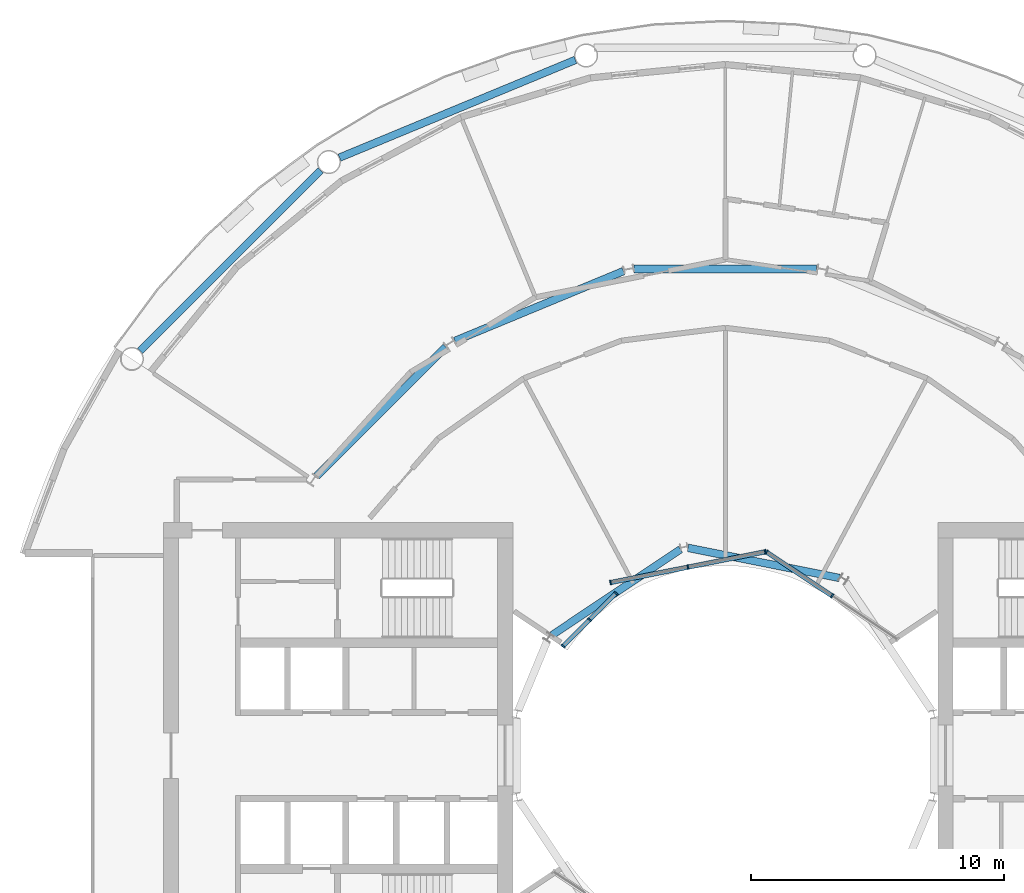
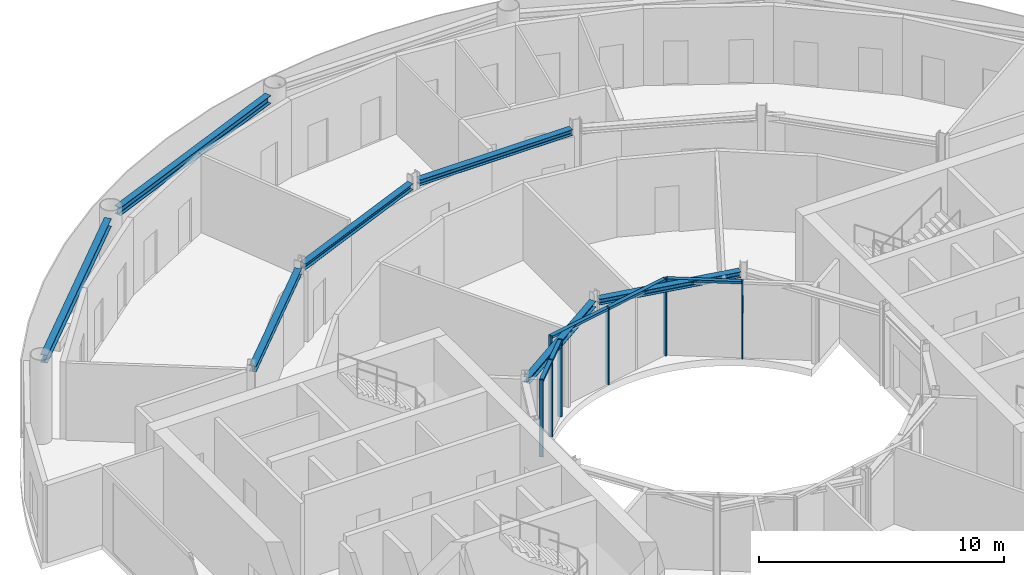
# One storey, part 8 of 21: 13 members, 7 beams, 3 elements without a shape of their own.
"""IFC4 building model written with IfcOpenShell, lengths in metres."""

from ifc_helpers import new_model, si_unit, direction, frame, origin, origin_2d, place, context, subcontext, project, spatial, rectangle, i_section, extrude, material, layer, layer_set, material_profile, profile_set, type_object, element, aggregate, save


model = new_model("IFC4")

# Units and contexts
model_context = context("Model", 3, precision=1e-05, world=origin(), true_north=direction((0.0, 1.0)))
body_context = subcontext(model_context, "Body", "Model", "MODEL_VIEW")
ifc_project = project(units=[si_unit("LENGTHUNIT", "METRE"), si_unit("AREAUNIT", "SQUARE_METRE"), si_unit("VOLUMEUNIT", "CUBIC_METRE"), si_unit("PLANEANGLEUNIT", "RADIAN"), si_unit("MASSUNIT", "GRAM", prefix="KILO")], contexts=[model_context])

# Site, building, storey
site_placement = place(None, origin())
site = spatial("IfcSite", under=ifc_project, at=site_placement, CompositionType="ELEMENT")
building_placement = place(site_placement, origin())
building = spatial("IfcBuilding", under=site, at=building_placement, Name="Maasbend Ring Residences", CompositionType="ELEMENT")
storey_placement = place(building_placement, frame((0.0, 0.0, 107.449951171875)))
storey = spatial("IfcBuildingStorey", under=building, at=storey_placement, Name="L30", CompositionType="ELEMENT", Elevation=107.449951171875)

# Curtain wall, members
ifc_material_1 = material(Name="Aluminium and clear glass", Category="aluminium")
ifc_layer = layer(ifc_material_1, 0.179931640625)
ifc_layer_set = layer_set([ifc_layer], Name="CW-W")
curtain_wall_type = type_object("IfcCurtainWallType", Name="CW-W", PredefinedType="NOTDEFINED", material=ifc_layer_set)
curtain_wall_1_placement = place(storey_placement, origin())
curtain_wall_1 = element("IfcCurtainWall", 1, at=curtain_wall_1_placement, inside=storey, type_object=curtain_wall_type, Name="Well curtain wall N1", PredefinedType="NOTDEFINED")
ifc_material_2 = material(Name="Aluminium 6063-T6", Category="aluminium")
ifc_material_profile_1 = material_profile(ifc_material_2, rectangle(XDim=0.179931640625, YDim=0.06005859375, at=origin_2d()), Name="AL 180x60")
ifc_profile_set_1 = profile_set([ifc_material_profile_1], Name="Aluminium 6063-T6")
member_type_1 = type_object("IfcMemberType", Name="CWM-W", PredefinedType="MULLION", material=ifc_profile_set_1)
member_1_placement = place(storey_placement, frame((4.216796875, 6.310791015625, 0.0), z_axis=(0.0, 0.0, 1.0), x_axis=(-0.55557023302, -0.831469612303, 0.0)))
member_1 = element("IfcMember", 2, at=member_1_placement, type_object=member_type_1, Name="Mullion well face", PredefinedType="MULLION", context=body_context, shape_type="SweptSolid", body=[
    extrude(rectangle(XDim=0.179931640625, YDim=0.06005859375, at=origin_2d()), origin(), (0.0, 0.0, 1.0), 3.85009765625),
])
member_2_placement = place(storey_placement, frame((1.627685546875, 8.040771484375, 0.0), z_axis=(0.0, 0.0, 1.0), x_axis=(-0.55557023302, -0.831469612303, 0.0)))
member_2 = element("IfcMember", 3, at=member_2_placement, type_object=member_type_1, Name="Mullion well face", PredefinedType="MULLION", context=body_context, shape_type="SweptSolid", body=[
    extrude(rectangle(XDim=0.179931640625, YDim=0.06005859375, at=origin_2d()), origin(), (0.0, 0.0, 1.0), 3.85009765625),
])

curtain_wall_2_placement = place(storey_placement, origin())
curtain_wall_2 = element("IfcCurtainWall", 4, at=curtain_wall_2_placement, inside=storey, type_object=curtain_wall_type, Name="Well curtain wall N2", PredefinedType="NOTDEFINED")
member_3_placement = place(storey_placement, frame((1.5732421875, 8.0517578125, 0.0), z_axis=(0.0, 0.0, 1.0), x_axis=(0.195090322016, -0.980785280403, 0.0)))
member_3 = element("IfcMember", 5, at=member_3_placement, type_object=member_type_1, Name="Mullion well face", PredefinedType="MULLION", context=body_context, shape_type="SweptSolid", body=[
    extrude(rectangle(XDim=0.179931640625, YDim=0.06005859375, at=origin_2d()), origin(), (0.0, 0.0, 1.0), 3.85009765625),
])
member_4_placement = place(storey_placement, frame((-1.480712890625, 7.444091796875, 0.0), z_axis=(0.0, 0.0, 1.0), x_axis=(0.195090322016, -0.980785280403, 0.0)))
member_4 = element("IfcMember", 6, at=member_4_placement, type_object=member_type_1, Name="Mullion well face", PredefinedType="MULLION", context=body_context, shape_type="SweptSolid", body=[
    extrude(rectangle(XDim=0.179931640625, YDim=0.06005859375, at=origin_2d()), origin(), (0.0, 0.0, 1.0), 3.85009765625),
])
member_5_placement = place(storey_placement, frame((-4.53466796875, 6.836669921875, 0.0), z_axis=(0.0, 0.0, 1.0), x_axis=(0.195090322016, -0.980785280403, 0.0)))
member_5 = element("IfcMember", 7, at=member_5_placement, type_object=member_type_1, Name="Mullion well face", PredefinedType="MULLION", context=body_context, shape_type="SweptSolid", body=[
    extrude(rectangle(XDim=0.179931640625, YDim=0.06005859375, at=origin_2d()), origin(), (0.0, 0.0, 1.0), 3.85009765625),
])

curtain_wall_3_placement = place(storey_placement, origin())
curtain_wall_3 = element("IfcCurtainWall", 8, at=curtain_wall_3_placement, inside=storey, type_object=curtain_wall_type, Name="Well curtain wall N3", PredefinedType="NOTDEFINED")
member_6_placement = place(storey_placement, frame((-4.320556640625, 6.413330078125, 0.0), z_axis=(0.0, 0.0, 1.0), x_axis=(0.707106781187, -0.707106781187, 0.0)))
member_6 = element("IfcMember", 9, at=member_6_placement, type_object=member_type_1, Name="Mullion well face", PredefinedType="MULLION", context=body_context, shape_type="SweptSolid", body=[
    extrude(rectangle(XDim=0.179931640625, YDim=0.06005859375, at=origin_2d()), origin(), (0.0, 0.0, 1.0), 3.85009765625),
])
member_7_placement = place(storey_placement, frame((-5.366943359375, 5.366943359375, 0.0), z_axis=(0.0, 0.0, 1.0), x_axis=(0.707106781187, -0.707106781187, 0.0)))
member_7 = element("IfcMember", 10, at=member_7_placement, type_object=member_type_1, Name="Mullion well face", PredefinedType="MULLION", context=body_context, shape_type="SweptSolid", body=[
    extrude(rectangle(XDim=0.179931640625, YDim=0.06005859375, at=origin_2d()), origin(), (0.0, 0.0, 1.0), 3.85009765625),
])
member_8_placement = place(storey_placement, frame((-6.413330078125, 4.320556640625, 0.0), z_axis=(0.0, 0.0, 1.0), x_axis=(0.707106781187, -0.707106781187, 0.0)))
member_8 = element("IfcMember", 11, at=member_8_placement, type_object=member_type_1, Name="Mullion well face", PredefinedType="MULLION", context=body_context, shape_type="SweptSolid", body=[
    extrude(rectangle(XDim=0.179931640625, YDim=0.06005859375, at=origin_2d()), origin(), (0.0, 0.0, 1.0), 3.85009765625),
])

# Member
ifc_material_3 = material(Name="Aluminium 6063-T6", Category="aluminium")
ifc_material_profile_2 = material_profile(ifc_material_3, rectangle(XDim=0.179931640625, YDim=0.1201171875, at=origin_2d()), Name="AL 180x120")
ifc_profile_set_2 = profile_set([ifc_material_profile_2], Name="Aluminium 6063-T6")
member_type_2 = type_object("IfcMemberType", Name="CWT-W", PredefinedType="USERDEFINED", material=ifc_profile_set_2)
member_9_placement = place(storey_placement, frame((4.19189453125, 6.32763671875, 3.7900390625), z_axis=(-0.831496422459, 0.555530106689, 0.0), x_axis=(-0.555530106689, -0.831496422459, 0.0)))
member_9 = element("IfcMember", 12, at=member_9_placement, type_object=member_type_2, Name="Transom well face", ObjectType="TRANSOM", PredefinedType="USERDEFINED", context=body_context, shape_type="SweptSolid", body=[
    extrude(rectangle(XDim=0.179931640625, YDim=0.1201171875, at=origin_2d()), origin(), (0.0, 0.0, 1.0), 3.053955078125),
])

aggregate(curtain_wall_1, [member_1, member_2, member_9])

member_10_placement = place(storey_placement, frame((1.5439453125, 8.0458984375, 3.7900390625), z_axis=(-0.980776956105, -0.195132166424, 0.0), x_axis=(0.195132166424, -0.980776956105, 0.0)))
member_10 = element("IfcMember", 13, at=member_10_placement, type_object=member_type_2, Name="Transom well face", ObjectType="TRANSOM", PredefinedType="USERDEFINED", context=body_context, shape_type="SweptSolid", body=[
    extrude(rectangle(XDim=0.179931640625, YDim=0.1201171875, at=origin_2d()), origin(), (0.0, 0.0, 1.0), 3.053955078125),
])

member_11_placement = place(storey_placement, frame((-1.51025390625, 7.438232421875, 3.7900390625), z_axis=(-0.980789210404, -0.19507056353, 0.0), x_axis=(0.19507056353, -0.980789210404, 0.0)))
member_11 = element("IfcMember", 14, at=member_11_placement, type_object=member_type_2, Name="Transom well face", ObjectType="TRANSOM", PredefinedType="USERDEFINED", context=body_context, shape_type="SweptSolid", body=[
    extrude(rectangle(XDim=0.179931640625, YDim=0.1201171875, at=origin_2d()), origin(), (0.0, 0.0, 1.0), 3.0537109375),
])

aggregate(curtain_wall_2, [member_3, member_4, member_5, member_10, member_11])

member_12_placement = place(storey_placement, frame((-4.341796875, 6.39208984375, 3.7900390625), z_axis=(-0.707106781187, -0.707106781187, 0.0), x_axis=(0.707106781187, -0.707106781187, 0.0)))
member_12 = element("IfcMember", 15, at=member_12_placement, type_object=member_type_2, Name="Transom well face", ObjectType="TRANSOM", PredefinedType="USERDEFINED", context=body_context, shape_type="SweptSolid", body=[
    extrude(rectangle(XDim=0.179931640625, YDim=0.1201171875, at=origin_2d()), origin(), (0.0, 0.0, 1.0), 1.419677734375),
])

member_13_placement = place(storey_placement, frame((-5.38818359375, 5.345703125, 3.7900390625), z_axis=(-0.707106781187, -0.707106781187, 0.0), x_axis=(0.707106781187, -0.707106781187, 0.0)))
member_13 = element("IfcMember", 16, at=member_13_placement, type_object=member_type_2, Name="Transom well face", ObjectType="TRANSOM", PredefinedType="USERDEFINED", context=body_context, shape_type="SweptSolid", body=[
    extrude(rectangle(XDim=0.179931640625, YDim=0.1201171875, at=origin_2d()), origin(), (0.0, 0.0, 1.0), 1.419677734375),
])

aggregate(curtain_wall_3, [member_6, member_7, member_8, member_12, member_13])

# Beams
ifc_material_4 = material(Name="Steel S355J2", Category="steel")
ifc_material_profile_3 = material_profile(ifc_material_4, i_section(OverallWidth=0.300048828125, OverallDepth=0.2900390625, WebThickness=0.008544921875, FlangeThickness=0.013916015625, FilletRadius=0.027099609375, at=origin_2d()), Name="HEA 300")
ifc_profile_set_3 = profile_set([ifc_material_profile_3], Name="Steel S355J2")
beam_type_1 = type_object("IfcBeamType", Name="Corridor ring beam HEA 300", PredefinedType="BEAM", material=ifc_profile_set_3)
for number, where, z_axis, x_axis, name in (
    (17, (3.603515625, 19.223388671875, 3.705078125), (-1.0, 0.0, 0.0), (0.0, -1.0, 0.0), "Corridor ring beam"),
    (18, (-4.02734375, 19.13916015625, 3.705078125), (-0.923877693919, -0.382687871089, 0.0), (0.382687871089, -0.923877693919, 0.0), "Corridor ring beam"),
    (19, (-11.044921875, 16.14111328125, 3.705078125), (-0.707106781187, -0.707106781187, 0.0), (0.707106781187, -0.707106781187, 0.0), "Corridor ring beam"),
):
    element("IfcBeam", number, at=place(storey_placement, frame(where, z_axis=z_axis, x_axis=x_axis)), inside=storey, type_object=beam_type_1, Name=name, PredefinedType="BEAM", context=body_context, shape_type="SweptSolid", body=[
        extrude(i_section(OverallWidth=0.300048828125, OverallDepth=0.2900390625, WebThickness=0.008544921875, FlangeThickness=0.013916015625, FilletRadius=0.027099609375, at=origin_2d()), origin(), (0.0, 0.0, 1.0), 7.20703125),
    ])
ifc_material_5 = material(Name="Steel S355J2", Category="steel")
ifc_material_profile_4 = material_profile(ifc_material_5, i_section(OverallWidth=0.300048828125, OverallDepth=0.39990234375, WebThickness=0.013427734375, FlangeThickness=0.02392578125, FilletRadius=0.027099609375, at=origin_2d()), Name="HEB 400")
ifc_profile_set_4 = profile_set([ifc_material_profile_4], Name="Steel S355J2")
beam_type_2 = type_object("IfcBeamType", Name="Spandrel ring beam HEB 400", PredefinedType="SPANDREL", material=ifc_profile_set_4)
for number, where, z_axis, x_axis, name in (
    (20, (-5.923583984375, 27.483154296875, 3.650146484375), (-0.92388529709, -0.382669515144, 0.0), (0.382669515144, -0.92388529709, 0.0), "Spandrel ring beam"),
    (21, (-15.990234375, 23.124267578125, 3.650146484375), (-0.707106781187, -0.707106781187, 0.0), (0.707106781187, -0.707106781187, 0.0), "Spandrel ring beam"),
):
    element("IfcBeam", number, at=place(storey_placement, frame(where, z_axis=z_axis, x_axis=x_axis)), inside=storey, type_object=beam_type_2, Name=name, PredefinedType="SPANDREL", context=body_context, shape_type="SweptSolid", body=[
        extrude(i_section(OverallWidth=0.300048828125, OverallDepth=0.39990234375, WebThickness=0.013427734375, FlangeThickness=0.02392578125, FilletRadius=0.027099609375, at=origin_2d()), origin(), (0.0, 0.0, 1.0), 10.089111328125),
    ])
ifc_material_6 = material(Name="Steel S355J2", Category="steel")
ifc_material_profile_5 = material_profile(ifc_material_6, i_section(OverallWidth=0.300048828125, OverallDepth=0.2900390625, WebThickness=0.008544921875, FlangeThickness=0.013916015625, FilletRadius=0.027099609375, at=origin_2d()), Name="HEA 300")
ifc_profile_set_5 = profile_set([ifc_material_profile_5], Name="Steel S355J2")
beam_type_3 = type_object("IfcBeamType", Name="Well edge beam HEA 300", PredefinedType="BEAM", material=ifc_profile_set_5)
beam_1_placement = place(storey_placement, frame((4.507568359375, 7.01611328125, 3.705078125), z_axis=(-0.980792381321, 0.195054619896, 0.0), x_axis=(-0.195054619896, -0.980792381321, 0.0)))
element("IfcBeam", 22, at=beam_1_placement, inside=storey, type_object=beam_type_3, Name="Well edge beam", PredefinedType="BEAM", context=body_context, shape_type="SweptSolid", body=[
    extrude(i_section(OverallWidth=0.300048828125, OverallDepth=0.2900390625, WebThickness=0.008544921875, FlangeThickness=0.013916015625, FilletRadius=0.027099609375, at=origin_2d()), origin(), (0.0, 0.0, 1.0), 6.104248046875),
])
beam_2_placement = place(storey_placement, frame((-1.773681640625, 8.1484375, 3.705078125), z_axis=(-0.831477628137, -0.555558236289, 0.0), x_axis=(0.555558236289, -0.831477628137, 0.0)))
element("IfcBeam", 23, at=beam_2_placement, inside=storey, type_object=beam_type_3, Name="Well edge beam", PredefinedType="BEAM", context=body_context, shape_type="SweptSolid", body=[
    extrude(i_section(OverallWidth=0.300048828125, OverallDepth=0.2900390625, WebThickness=0.008544921875, FlangeThickness=0.013916015625, FilletRadius=0.027099609375, at=origin_2d()), origin(), (0.0, 0.0, 1.0), 6.1044921875),
])

save(model, "model.ifc")
